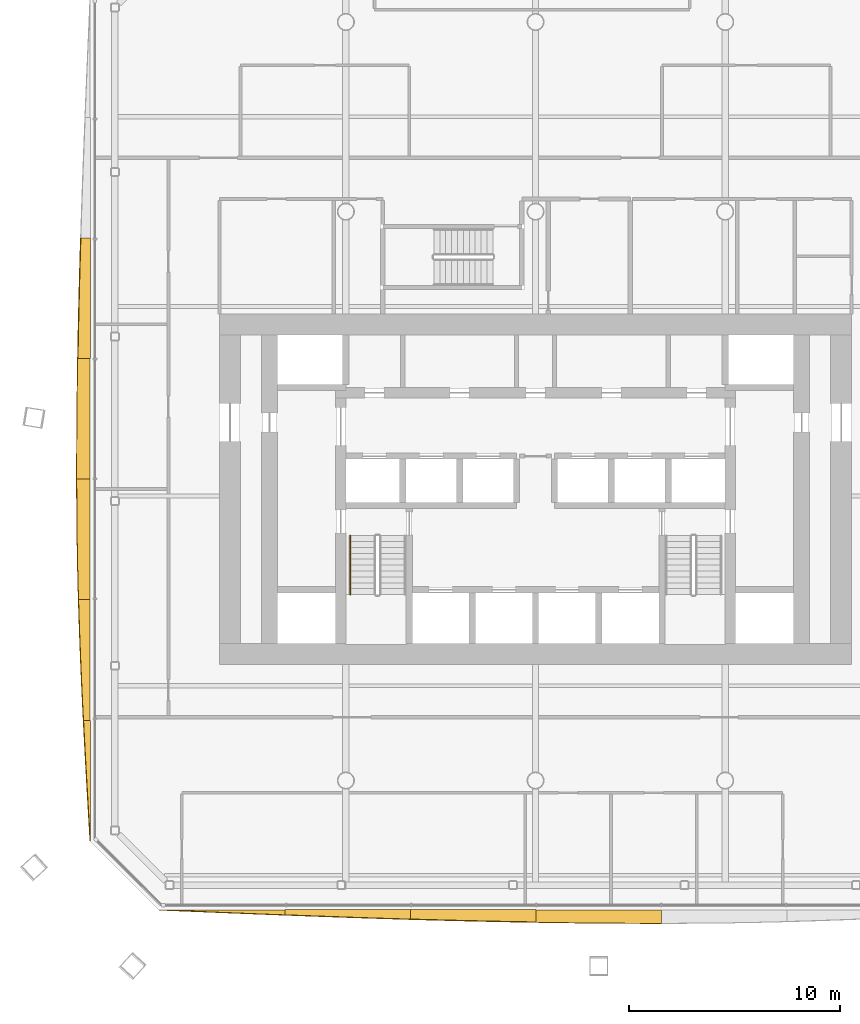
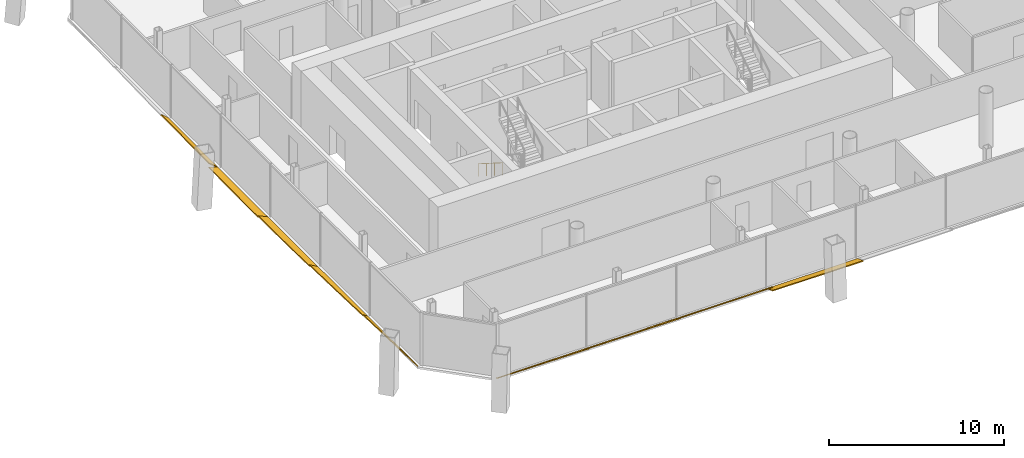
# One storey, part 15 of 19: 9 shading devices, 1 railing.
"""IFC4 building model written with IfcOpenShell, lengths in metres."""

from ifc_helpers import new_model, si_unit, direction, frame, origin, origin_2d, place, context, subcontext, project, spatial, polyline, circle, outline, extrude, material, layer, layer_set, type_object, element, save


model = new_model("IFC4")

# Units and contexts
model_context = context("Model", 3, precision=1e-05, world=origin(), true_north=direction((0.0, 1.0)))
body_context = subcontext(model_context, "Body", "Model", "MODEL_VIEW")
ifc_project = project(units=[si_unit("LENGTHUNIT", "METRE"), si_unit("AREAUNIT", "SQUARE_METRE"), si_unit("VOLUMEUNIT", "CUBIC_METRE"), si_unit("PLANEANGLEUNIT", "RADIAN"), si_unit("MASSUNIT", "GRAM", prefix="KILO")], contexts=[model_context])

# Site, building, storey
site_placement = place(None, origin())
site = spatial("IfcSite", under=ifc_project, at=site_placement, CompositionType="ELEMENT")
building_placement = place(site_placement, origin())
building = spatial("IfcBuilding", under=site, at=building_placement, Name="Tskaro Facet Tower", CompositionType="ELEMENT")
storey_placement = place(building_placement, frame((0.0, 0.0, 101.10009765625)))
storey = spatial("IfcBuildingStorey", under=building, at=storey_placement, Name="L24", CompositionType="ELEMENT", Elevation=101.10009765625)

# Shading devices
ifc_material_1 = material(Name="Bronze anodised aluminium 6063-T6", Category="aluminium")
ifc_layer = layer(ifc_material_1, 0.06005859375, Name="Bronze anodised aluminium 6063-T6")
ifc_layer_set = layer_set([ifc_layer], Name="Bronze anodised aluminium 6063-T6")
shading_device_type = type_object("IfcShadingDeviceType", Name="Bronze sun blade (FN1)", PredefinedType="USERDEFINED", material=ifc_layer_set)
shading_device_1_placement = place(storey_placement, frame((-17.861083984375, -24.135009765625, 0.0517578125), z_axis=(-3.522894e-06, 0.500518218123, 0.865726003603), x_axis=(0.999999999994, 1.763272e-06, 3.049861e-06)))
element("IfcShadingDevice", 1, at=shading_device_1_placement, inside=storey, type_object=shading_device_type, Name="Fin blade south 1", ObjectType="FIN", PredefinedType="USERDEFINED", context=body_context, shape_type="SweptSolid", body=[
    extrude(outline(polyline([(0.0, 0.0), (5.960449218713014, 1.2621742171793511e-21), (5.960449218788847, -0.27750714200792836), (5.215332031458417, -0.24425740879055213), (4.470214843499772, -0.21034056413678218), (3.7253417965966116, -0.17621236059541243), (2.980224609184831, -0.14153924244824598), (2.2351074218894276, -0.10632120969528291), (1.4902343752190228, -0.07110317694231987), (0.7451171876095114, -0.03555158847115993), (0.0, 0.0)])), origin(), (0.0, 0.0, -1.0), 0.06005859375),
])
shading_device_2_placement = place(storey_placement, frame((-11.900634765625, -24.130615234375, 0.049072265625), z_axis=(-9.234084e-06, 0.573491366222, 0.8192116044), x_axis=(0.999999999957, 5.295667e-06, 7.564668e-06)))
element("IfcShadingDevice", 2, at=shading_device_2_placement, inside=storey, type_object=shading_device_type, Name="Fin blade south 2", ObjectType="FIN", PredefinedType="USERDEFINED", context=body_context, shape_type="SweptSolid", body=[
    extrude(outline(polyline([(0.0, 0.0), (5.960205077870892, 0.0), (5.9602050788013745, -0.5430611637233478), (5.215087890234005, -0.5155600879386728), (4.470214843769489, -0.48697897574036686), (3.725097656311006, -0.4571778145878424), (2.979980468483543, -0.4261566044810995), (2.235107421466047, -0.3942553607938396), (1.4899902340085383, -0.3614740835260627), (0.7448730467360062, -0.3278127726777688), (2.7344039588903805e-10, -0.293271428248958), (0.0, 0.0)])), origin(), (0.0, 0.0, -1.0), 0.06005859375),
])
shading_device_3_placement = place(storey_placement, frame((-5.9404296875, -24.12646484375, 0.0458984375), z_axis=(-3.798074e-06, 0.642743685775, 0.766081297502), x_axis=(0.999999999993, 2.441188e-06, 2.909634e-06)))
element("IfcShadingDevice", 3, at=shading_device_3_placement, inside=storey, type_object=shading_device_type, Name="Fin blade south 3", ObjectType="FIN", PredefinedType="USERDEFINED", context=body_context, shape_type="SweptSolid", body=[
    extrude(outline(polyline([(0.0, 0.0), (5.960205078082011, -1.2621225183910665e-21), (5.960205078411189, -0.7610987511596021), (5.215332031277378, -0.7444686365002561), (4.470214843542731, -0.7259317332144595), (3.725097656542603, -0.7056449611473732), (2.980224609595641, -0.6836384320206104), (2.235107421566214, -0.6602560972461067), (1.4899902342713078, -0.6351238936903132), (0.7451171871439333, -0.6086158844867788), (2.4044738750750266e-10, -0.58070195791389), (0.0, 0.0)])), origin(), (0.0, 0.0, -1.0), 0.06005859375),
])
shading_device_4_placement = place(storey_placement, frame((0.019775390625, -24.14453125, 0.056396484375), z_axis=(-4.771042e-06, 0.341927941598, 0.939726174336), x_axis=(0.999999999989, 1.631352e-06, 4.483473e-06)))
element("IfcShadingDevice", 4, at=shading_device_4_placement, inside=storey, type_object=shading_device_type, Name="Fin blade south 4", ObjectType="FIN", PredefinedType="USERDEFINED", context=body_context, shape_type="SweptSolid", body=[
    extrude(outline(polyline([(0.0, 0.0), (5.960449218682162, 0.0), (5.960449219043531, -0.6752471093461725), (5.2153320313542135, -0.6739330256657681), (4.470214843865377, -0.6710754329694256), (3.7253417965056985, -0.6663614274202434), (2.9802246094178226, -0.6604168166920246), (2.2351074218341096, -0.6526157931109661), (1.4902343746775941, -0.6435006858495033), (0.7451171874948423, -0.6326126442365684), (1.1429179950017837e-10, -0.6204105189432292), (0.0, 0.0)])), origin(), (0.0, 0.0, -1.0), 0.06005859375),
])
shading_device_5_placement = place(storey_placement, frame((-21.12646484375, 7.74462890625, 0.0458984375), z_axis=(0.642774478974, 1.2475599e-05, 0.766055460802), x_axis=(8.018997e-06, -0.999999999922, 9.557001e-06)))
element("IfcShadingDevice", 5, at=shading_device_5_placement, inside=storey, type_object=shading_device_type, Name="Fin blade west 3", ObjectType="FIN", PredefinedType="USERDEFINED", context=body_context, shape_type="SweptSolid", body=[
    extrude(outline(polyline([(0.0, 0.0), (5.720947265179794, -9.691661646977549e-21), (5.7209472660942335, -0.765256283389002), (5.005859374665456, -0.7486261659471456), (4.2907714836924855, -0.7304332127581206), (3.5756835927998294, -0.7103334711998847), (2.860595704320743, -0.6884838686354808), (2.145263671381467, -0.6651015282198649), (1.4301757814807396, -0.6399693267980808), (0.7150878900780554, -0.6134613148881276), (-8.688230620006404e-10, -0.585390467231006), (0.0, 0.0)])), origin(), (0.0, 0.0, -1.0), 0.06005859375),
])
shading_device_6_placement = place(storey_placement, frame((-21.14453125, 2.023681640625, 0.056396484375), z_axis=(0.341841752053, 1.2161649e-05, 0.939757530646), x_axis=(4.157359e-06, -0.999999999926, 1.1429001e-05)))
element("IfcShadingDevice", 6, at=shading_device_6_placement, inside=storey, type_object=shading_device_type, Name="Fin blade west 4", ObjectType="FIN", PredefinedType="USERDEFINED", context=body_context, shape_type="SweptSolid", body=[
    extrude(outline(polyline([(0.0, 0.0), (5.721191405826902, 0.0), (5.721191406486258, -0.6754765325502299), (5.006103516168797, -0.6747047761185344), (4.2910156245853495, -0.6720766163735478), (3.5759277335112163, -0.6679049437651703), (2.8605957023214166, -0.6621897582934022), (2.1455078122659135, -0.6549310599582434), (1.430419922719725, -0.646128848759694), (0.7153320308925681, -0.6356996672387505), (-1.0502558513197261e-09, -0.6237269728544164), (0.0, 0.0)])), origin(), (0.0, 0.0, -1.0), 0.06005859375),
])
shading_device_7_placement = place(storey_placement, frame((-21.1396484375, -3.697509765625, 0.05419921875), z_axis=(0.422723521956, -1.1392508e-05, 0.906258695879), x_axis=(-4.815881e-06, -0.999999999935, -1.032456e-05)))
element("IfcShadingDevice", 7, at=shading_device_7_placement, inside=storey, type_object=shading_device_type, Name="Fin blade west 5", ObjectType="FIN", PredefinedType="USERDEFINED", context=body_context, shape_type="SweptSolid", body=[
    extrude(outline(polyline([(0.0, 0.0), (5.721191405878726, 4.846037618641913e-21), (5.721191406826978, -0.6071751763298817), (5.0061035145240735, -0.6287972929095575), (4.291015625587514, -0.6475876399356999), (3.5756835931752726, -0.6635313708135893), (2.860595703409469, -0.6769677906872421), (2.145507812137859, -0.6872331358633452), (1.4304199205361972, -0.6945486609063362), (0.7150878916758953, -0.6990324163957936), (0.02294921816263926, -0.7004483011725604), (-5.858714648899415e-10, -0.7004483011725604), (0.0, 0.0)])), origin(), (0.0, 0.0, -1.0), 0.06005859375),
])
shading_device_8_placement = place(storey_placement, frame((-21.135009765625, -9.418701171875, 0.0517578125), z_axis=(0.500088201963, -6.59281e-06, 0.865974474343), x_axis=(-3.296987e-06, -0.999999999978, -5.709206e-06)))
element("IfcShadingDevice", 8, at=shading_device_8_placement, inside=storey, type_object=shading_device_type, Name="Fin blade west 6", ObjectType="FIN", PredefinedType="USERDEFINED", context=body_context, shape_type="SweptSolid", body=[
    extrude(outline(polyline([(0.0, 0.0), (5.721191406125664, 0.0), (5.72119140596798, -0.3670813216561704), (5.006103515578744, -0.4076593600038167), (4.290771484721416, -0.44681402506588397), (3.5756835936250515, -0.4837889663479729), (2.8605957024695843, -0.5187956033994882), (2.1455078126488636, -0.5517118443742448), (1.4304199225530325, -0.5821148501734333), (0.7150878901632473, -0.6101267126432386), (-4.828048561522318e-10, -0.6355032480912906), (0.0, 0.0)])), origin(), (0.0, 0.0, -1.0), 0.06005859375),
])
shading_device_9_placement = place(storey_placement, frame((-21.130615234375, -15.139892578125, 0.049072265625), z_axis=(0.57366358123, 6.011024e-06, 0.819091017857), x_axis=(3.448306e-06, -0.999999999982, 4.923576e-06)))
element("IfcShadingDevice", 9, at=shading_device_9_placement, inside=storey, type_object=shading_device_type, Name="Fin blade west 7", ObjectType="FIN", PredefinedType="USERDEFINED", context=body_context, shape_type="SweptSolid", body=[
    extrude(outline(polyline([(0.0, 0.0), (5.72119140614664, -2.4230188093209563e-21), (5.005859374834752, -0.05066197246236133), (4.290771484147858, -0.10132394492472266), (3.5756835939426646, -0.15144591601575), (2.8605957030171236, -0.20088783115017944), (2.145507812213107, -0.24944971693497597), (1.4301757817474905, -0.29693159997710455), (0.7150878904661765, -0.34305337110603734), (-2.1191488787648676e-10, -0.3877551115140032), (0.0, 0.0)])), origin(), (0.0, 0.0, -1.0), 0.06005859375),
])

# Railing
ifc_material_2 = material(Name="Stainless steel", Category="steel")
railing_type = type_object("IfcRailingType", Name="RL-HANDRAIL-900", PredefinedType="HANDRAIL", material=ifc_material_2)
railing_placement = place(storey_placement, frame((-8.800048828125, -6.375, 0.17724609375)))
element("IfcRailing", 10, at=railing_placement, inside=storey, type_object=railing_type, Name="L24 ST-1 stair handrail 1", PredefinedType="HANDRAIL", context=body_context, shape_type="SweptSolid", body=[
    extrude(circle(Radius=0.02392578125, at=origin_2d()), frame((0.0, 0.0, 0.8759765625), z_axis=(0.0, -0.844908973607, 0.534910110503), x_axis=(1.0, 0.0, 0.0)), (0.0, 0.0, 1.0), 3.31396484375),
    extrude(circle(Radius=0.02099609375, at=origin_2d()), origin(), (0.0, 0.0, 1.0), 0.851806640625),
    extrude(circle(Radius=0.02099609375, at=origin_2d()), frame((0.0, -0.933349609375, 0.5908203125)), (0.0, 0.0, 1.0), 0.851806640625),
    extrude(circle(Radius=0.02099609375, at=origin_2d()), frame((0.0, -1.86669921875, 1.181884765625)), (0.0, 0.0, 1.0), 0.851806640625),
    extrude(circle(Radius=0.02099609375, at=origin_2d()), frame((0.0, -2.800048828125, 1.772705078125)), (0.0, 0.0, 1.0), 0.851806640625),
])

save(model, "model.ifc")
